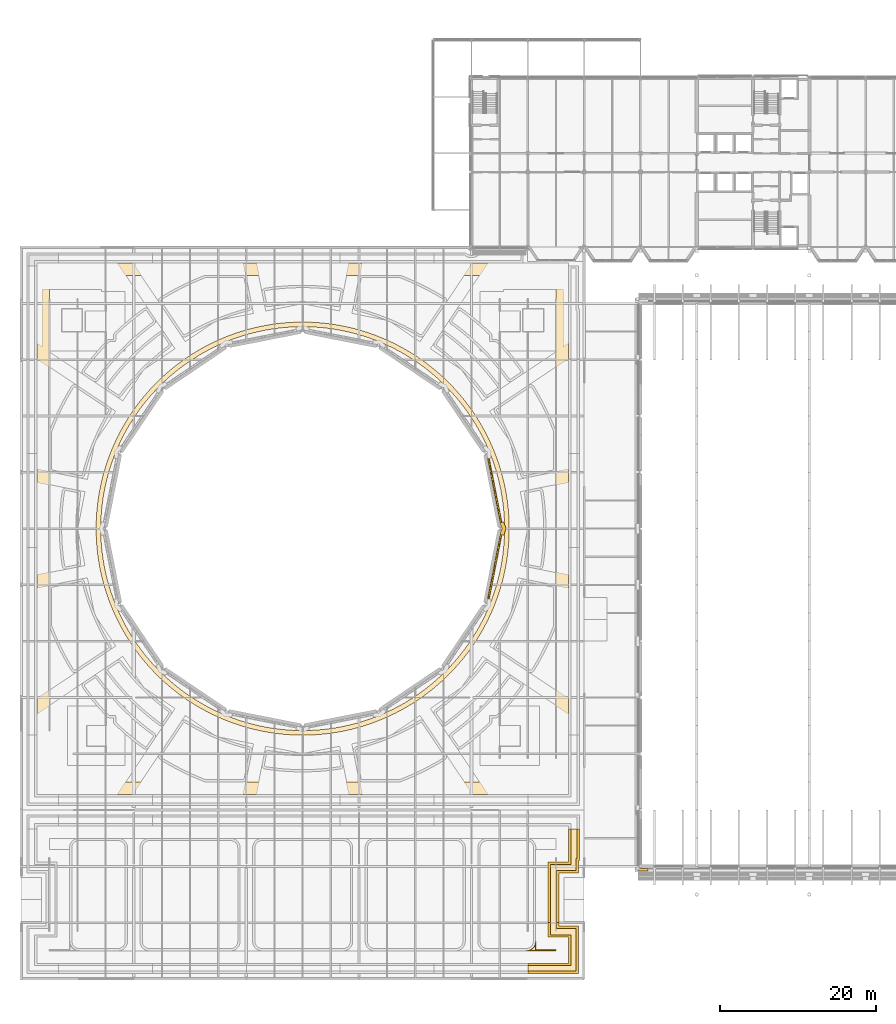
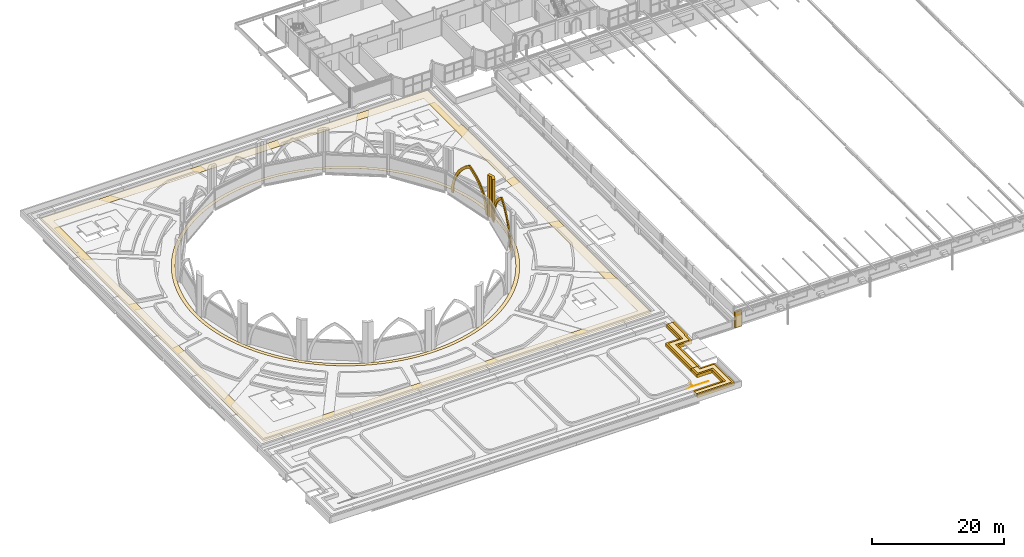
# One storey, part 91 of 110: 13 coverings.
"""IFC4 building model written with IfcOpenShell, lengths in metres."""

from ifc_helpers import new_model, si_unit, direction, frame, origin, origin_2d, place, context, subcontext, project, spatial, polyline, rectangle, outline, extrude, material, layer, layer_set, type_object, element, save


model = new_model("IFC4")

# Units and contexts
model_context = context("Model", 3, precision=1e-05, world=origin(), true_north=direction((0.0, 1.0)))
body_context = subcontext(model_context, "Body", "Model", "MODEL_VIEW")
ifc_project = project(units=[si_unit("LENGTHUNIT", "METRE"), si_unit("AREAUNIT", "SQUARE_METRE"), si_unit("VOLUMEUNIT", "CUBIC_METRE"), si_unit("PLANEANGLEUNIT", "RADIAN"), si_unit("MASSUNIT", "GRAM", prefix="KILO")], contexts=[model_context])

# Site, building, storey
site_placement = place(None, origin())
site = spatial("IfcSite", under=ifc_project, at=site_placement, CompositionType="ELEMENT")
building_placement = place(site_placement, origin())
building = spatial("IfcBuilding", under=site, at=building_placement, Name="Kupolbacken Congress Centre", CompositionType="ELEMENT")
storey_placement = place(building_placement, frame((0.0, 0.0, 18.0)))
storey = spatial("IfcBuildingStorey", under=building, at=storey_placement, Name="L05", CompositionType="ELEMENT", Elevation=18.0)

# Coverings
ifc_material_1 = material(Name="Limestone cladding", Category="masonry")
ifc_layer_1 = layer(ifc_material_1, 0.35009765625)
ifc_layer_set_1 = layer_set([ifc_layer_1], Name="Limestone cladding")
covering_type_1 = type_object("IfcCoveringType", Name="CV3 limestone pilaster strip 350", PredefinedType="CLADDING", material=ifc_layer_set_1)
covering_1_placement = place(storey_placement, frame((86.739990234375, 42.764892578125, 0.0), z_axis=(0.0, 0.0, 1.0), x_axis=(1.0, 0.0, 0.0)))
element("IfcCovering", 1, at=covering_1_placement, inside=storey, type_object=covering_type_1, Name="F/H/S/pil/00/0", PredefinedType="CLADDING", context=body_context, shape_type="SweptSolid", body=[
    extrude(rectangle(XDim=1.199951171875, YDim=0.35009765625, at=origin_2d()), origin(), (0.0, 0.0, 1.0), 2.93505859375),
])
ifc_material_2 = material(Name="Limestone cladding", Category="masonry")
ifc_layer_2 = layer(ifc_material_2, 0.60009765625)
ifc_layer_set_2 = layer_set([ifc_layer_2], Name="Limestone cladding")
covering_type_2 = type_object("IfcCoveringType", Name="CV5 limestone arcade pier 600", PredefinedType="CLADDING", material=ifc_layer_set_2)
covering_2_placement = place(storey_placement, origin())
element("IfcCovering", 2, at=covering_2_placement, inside=storey, type_object=covering_type_2, Name="Bed kerb, roof garden", PredefinedType="CLADDING", context=body_context, shape_type="SweptSolid", body=[
    extrude(outline(polyline([(75.99755859375, 35.547607421875), (78.469970703125, 35.547607421875), (78.469970703125, 29.530029296875), (72.0, 29.530029296875), (72.0, 29.830078125), (78.169921875, 29.830078125), (78.169921875, 35.24755859375), (75.697509765625, 35.24755859375), (75.697509765625, 36.0), (75.99755859375, 36.0), (75.99755859375, 35.547607421875)])), origin(), (0.0, 0.0, 1.0), 0.60009765625),
])
covering_3_placement = place(storey_placement, origin())
element("IfcCovering", 3, at=covering_3_placement, inside=storey, type_object=covering_type_2, Name="Bed kerb, roof garden", PredefinedType="CLADDING", context=body_context, shape_type="SweptSolid", body=[
    extrude(outline(polyline([(78.597412109375, 43.929931640625), (78.469970703125, 43.929931640625), (78.469970703125, 42.469970703125), (78.469970703125, 42.469970703125), (78.469970703125, 42.3525390625), (75.99755859375, 42.3525390625), (75.99755859375, 36.0), (75.697509765625, 36.0), (75.697509765625, 42.652587890625), (78.169921875, 42.652587890625), (78.169921875, 44.22998046875), (78.297607421875, 44.22998046875), (78.297607421875, 48.0), (78.597412109375, 48.0), (78.597412109375, 43.929931640625)])), origin(), (0.0, 0.0, 1.0), 0.60009765625),
])
covering_4_placement = place(storey_placement, origin())
element("IfcCovering", 4, at=covering_4_placement, inside=storey, type_object=covering_type_2, Name="Bed kerb, roof garden", PredefinedType="CLADDING", context=body_context, shape_type="SweptSolid", body=[
    extrude(outline(polyline([(77.49755859375, 30.50244140625), (72.0, 30.50244140625), (72.0, 30.802490234375), (77.197509765625, 30.802490234375), (77.197509765625, 34.1474609375), (74.597412109375, 34.1474609375), (74.597412109375, 36.0), (74.8974609375, 36.0), (74.8974609375, 34.447509765625), (77.49755859375, 34.447509765625), (77.49755859375, 30.50244140625)])), origin(), (0.0, 0.0, 1.0), 0.60009765625),
])
covering_5_placement = place(storey_placement, origin())
element("IfcCovering", 5, at=covering_5_placement, inside=storey, type_object=covering_type_2, Name="Bed kerb, roof garden", PredefinedType="CLADDING", context=body_context, shape_type="SweptSolid", body=[
    extrude(outline(polyline([(77.49755859375, 43.452392578125), (74.8974609375, 43.452392578125), (74.8974609375, 36.0), (74.597412109375, 36.0), (74.597412109375, 43.75244140625), (77.197509765625, 43.75244140625), (77.197509765625, 48.0), (77.49755859375, 48.0), (77.49755859375, 43.452392578125)])), origin(), (0.0, 0.0, 1.0), 0.60009765625),
])
ifc_material_3 = material(Name="Limestone cladding", Category="masonry")
ifc_layer_3 = layer(ifc_material_3, 0.5)
ifc_layer_set_3 = layer_set([ifc_layer_3], Name="Limestone cladding")
covering_type_3 = type_object("IfcCoveringType", Name="CV8 limestone drum pier 500", PredefinedType="CLADDING", material=ifc_layer_set_3)
covering_6_placement = place(storey_placement, origin())
element("IfcCovering", 6, at=covering_6_placement, inside=storey, type_object=covering_type_3, Name="F/drum/pier-lo/07/0", PredefinedType="CLADDING", context=body_context, shape_type="SweptSolid", body=[
    extrude(outline(polyline([(68.91259765625, 85.53466796875), (69.2216796875, 86.39990234375), (68.91259765625, 87.265380859375), (68.470947265625, 87.178466796875), (68.567626953125, 86.687744140625), (68.751708984375, 86.39990234375), (68.567626953125, 86.1123046875), (68.470947265625, 85.62158203125), (68.91259765625, 85.53466796875)])), origin(), (0.0, 0.0, 1.0), 7.60009765625),
])
ifc_material_4 = material(Name="Limestone cladding", Category="masonry")
ifc_layer_4 = layer(ifc_material_4, 0.199951171875)
ifc_layer_set_4 = layer_set([ifc_layer_4], Name="Limestone cladding")
covering_type_4 = type_object("IfcCoveringType", Name="CV9 limestone drum arch frame 200", PredefinedType="CLADDING", material=ifc_layer_set_4)
covering_7_placement = place(storey_placement, frame((66.86083984375, 77.443359375, 0.0), z_axis=(0.981162875427, -0.193182328084, 0.0), x_axis=(0.193182328084, 0.981162875427, 0.0)))
element("IfcCovering", 7, at=covering_7_placement, inside=storey, type_object=covering_type_4, Name="F/drum/arch/wall/07", PredefinedType="CLADDING", context=body_context, shape_type="SweptSolid", body=[
    extrude(outline(polyline([(0.0, 0.0), (0.0234375, 0.615966796875), (0.09326171875, 1.228515625), (0.20947265625, 1.833984375), (0.37109375, 2.4287109375), (0.577392578125, 3.009765625), (0.8271484375, 3.5732421875), (1.118896484375, 4.116455078125), (1.450927734375, 4.6357421875), (1.8212890625, 5.128662109375), (2.227783203125, 5.591796875), (2.66845703125, 6.023193359375), (3.140380859375, 6.419677734375), (3.64111328125, 6.779296875), (4.16748046875, 7.10009765625), (4.694091796875, 6.779296875), (5.19482421875, 6.419677734375), (5.666748046875, 6.023193359375), (6.107421875, 5.591796875), (6.513916015625, 5.128662109375), (6.884521484375, 4.6357421875), (7.21630859375, 4.116455078125), (7.508056640625, 3.5732421875), (7.7578125, 3.009765625), (7.964111328125, 2.4287109375), (8.125732421875, 1.833984375), (8.241943359375, 1.228515625), (8.31201171875, 0.615966796875), (8.335205078125, 0.0), (7.88525390625, 0.0), (7.864501953125, 0.56396484375), (7.802490234375, 1.124755859375), (7.699462890625, 1.679443359375), (7.555908203125, 2.22509765625), (7.372802734375, 2.7587890625), (7.15087890625, 3.277587890625), (6.8916015625, 3.77880859375), (6.59619140625, 4.259521484375), (6.266357421875, 4.71728515625), (5.90380859375, 5.1494140625), (5.51025390625, 5.553955078125), (5.08837890625, 5.928466796875), (4.639892578125, 6.27099609375), (4.16748046875, 6.579833984375), (3.6953125, 6.27099609375), (3.2470703125, 5.928466796875), (2.824951171875, 5.553955078125), (2.431640625, 5.1494140625), (2.069091796875, 4.71728515625), (1.739013671875, 4.259521484375), (1.443603515625, 3.77880859375), (1.184326171875, 3.277587890625), (0.96240234375, 2.7587890625), (0.779296875, 2.22509765625), (0.6357421875, 1.679443359375), (0.53271484375, 1.124755859375), (0.470703125, 0.56396484375), (0.449951171875, 0.0), (0.0, 0.0)])), origin(), (0.0, 0.0, 1.0), 0.199951171875),
])
covering_8_placement = place(storey_placement, frame((68.470947265625, 87.178466796875, 0.0), z_axis=(0.981162875427, 0.193182328084, 0.0), x_axis=(-0.193182328084, 0.981162875427, 0.0)))
element("IfcCovering", 8, at=covering_8_placement, inside=storey, type_object=covering_type_4, Name="F/drum/arch/wall/08", PredefinedType="CLADDING", context=body_context, shape_type="SweptSolid", body=[
    extrude(outline(polyline([(0.0, 0.0), (0.0234375, 0.615966796875), (0.09326171875, 1.228515625), (0.20947265625, 1.833984375), (0.37109375, 2.4287109375), (0.577392578125, 3.009765625), (0.8271484375, 3.5732421875), (1.118896484375, 4.116455078125), (1.450927734375, 4.6357421875), (1.8212890625, 5.128662109375), (2.227783203125, 5.591796875), (2.66845703125, 6.023193359375), (3.140380859375, 6.419677734375), (3.64111328125, 6.779296875), (4.16748046875, 7.10009765625), (4.694091796875, 6.779296875), (5.19482421875, 6.419677734375), (5.666748046875, 6.023193359375), (6.107421875, 5.591796875), (6.513916015625, 5.128662109375), (6.884521484375, 4.6357421875), (7.21630859375, 4.116455078125), (7.508056640625, 3.5732421875), (7.7578125, 3.009765625), (7.964111328125, 2.4287109375), (8.125732421875, 1.833984375), (8.241943359375, 1.228515625), (8.31201171875, 0.615966796875), (8.335205078125, 0.0), (7.88525390625, 0.0), (7.864501953125, 0.56396484375), (7.802490234375, 1.124755859375), (7.699462890625, 1.679443359375), (7.555908203125, 2.22509765625), (7.372802734375, 2.7587890625), (7.15087890625, 3.277587890625), (6.8916015625, 3.77880859375), (6.59619140625, 4.259521484375), (6.266357421875, 4.71728515625), (5.90380859375, 5.1494140625), (5.51025390625, 5.553955078125), (5.08837890625, 5.928466796875), (4.639892578125, 6.27099609375), (4.16748046875, 6.579833984375), (3.6953125, 6.27099609375), (3.2470703125, 5.928466796875), (2.824951171875, 5.553955078125), (2.431640625, 5.1494140625), (2.069091796875, 4.71728515625), (1.739013671875, 4.259521484375), (1.443603515625, 3.77880859375), (1.184326171875, 3.277587890625), (0.96240234375, 2.7587890625), (0.779296875, 2.22509765625), (0.6357421875, 1.679443359375), (0.53271484375, 1.124755859375), (0.470703125, 0.56396484375), (0.449951171875, 0.0), (0.0, 0.0)])), origin(), (0.0, 0.0, 1.0), 0.199951171875),
])
ifc_material_5 = material(Name="Limestone cladding", Category="masonry")
ifc_layer_5 = layer(ifc_material_5, 0.02001953125)
ifc_layer_set_5 = layer_set([ifc_layer_5], Name="Limestone cladding")
covering_type_5 = type_object("IfcCoveringType", Name="GF1 limestone paving 20", PredefinedType="FLOORING", material=ifc_layer_set_5)
covering_9_placement = place(storey_placement, origin())
element("IfcCovering", 9, at=covering_9_placement, inside=storey, type_object=covering_type_5, Name="Roof walk, roof garden", PredefinedType="FLOORING", context=body_context, shape_type="SweptSolid", body=[
    extrude(outline(polyline([(72.99169921875, 33.48486328125), (72.99755859375, 33.6025390625), (72.99755859375, 32.547607421875), (75.597412109375, 32.547607421875), (75.597412109375, 32.402587890625), (71.797607421875, 32.402587890625), (71.9150390625, 32.408203125), (72.031494140625, 32.425537109375), (72.145751953125, 32.4541015625), (72.256591796875, 32.493896484375), (72.36328125, 32.544189453125), (72.464111328125, 32.604736328125), (72.558837890625, 32.6748046875), (72.64599609375, 32.75390625), (72.72509765625, 32.84130859375), (72.79541015625, 32.935791015625), (72.855712890625, 33.036865234375), (72.90625, 33.143310546875), (72.94580078125, 33.254150390625), (72.974365234375, 33.368408203125), (72.99169921875, 33.48486328125)])), origin(), (0.0, 0.0, 1.0), 0.02001953125),
])
ifc_material_6 = material(Name="Brick", Category="masonry")
ifc_layer_6 = layer(ifc_material_6, 0.02001953125)
ifc_layer_set_6 = layer_set([ifc_layer_6], Name="Brick")
covering_type_6 = type_object("IfcCoveringType", Name="GF2 brick paving 20", PredefinedType="FLOORING", material=ifc_layer_set_6)
covering_10_placement = place(storey_placement, origin())
element("IfcCovering", 10, at=covering_10_placement, inside=storey, type_object=covering_type_6, Name="Roof walk border, plenary wing roof", PredefinedType="FLOORING", context=body_context, shape_type="SweptSolid", body=[
    extrude(outline(polyline([(69.49267578125, 83.810302734375), (69.421142578125, 83.166015625), (69.333740234375, 82.5234375), (69.230712890625, 81.88330078125), (69.112060546875, 81.245849609375), (68.977783203125, 80.611328125), (68.827880859375, 79.98046875), (68.662841796875, 79.353515625), (68.482177734375, 78.730712890625), (68.286376953125, 78.112548828125), (68.075439453125, 77.49951171875), (67.849609375, 76.8916015625), (67.608642578125, 76.28955078125), (67.353271484375, 75.693603515625), (67.083251953125, 75.10400390625), (66.798828125, 74.521484375), (66.500244140625, 73.94580078125), (66.1875, 73.377685546875), (65.861083984375, 72.8173828125), (65.52099609375, 72.265380859375), (65.167236328125, 71.721923828125), (64.80029296875, 71.187255859375), (64.420654296875, 70.66162109375), (64.028076171875, 70.145751953125), (63.622802734375, 69.639404296875), (63.205322265625, 69.143310546875), (62.77587890625, 68.657470703125), (62.33447265625, 68.1826171875), (61.881591796875, 67.718505859375), (61.41748046875, 67.265380859375), (60.9423828125, 66.82421875), (60.456787109375, 66.394775390625), (59.96044921875, 65.977294921875), (59.454345703125, 65.572021484375), (58.938232421875, 65.179443359375), (58.41259765625, 64.799560546875), (57.878173828125, 64.4326171875), (57.33447265625, 64.0791015625), (56.782470703125, 63.739013671875), (56.222412109375, 63.41259765625), (55.654296875, 63.099853515625), (55.07861328125, 62.80126953125), (54.495849609375, 62.516845703125), (53.906494140625, 62.246826171875), (53.310302734375, 61.9912109375), (52.70849609375, 61.75048828125), (52.1005859375, 61.524658203125), (51.4873046875, 61.313720703125), (50.869384765625, 61.117919921875), (50.24658203125, 60.937255859375), (49.619384765625, 60.77197265625), (48.988525390625, 60.6220703125), (48.354248046875, 60.48779296875), (47.716796875, 60.369140625), (47.07666015625, 60.26611328125), (46.43408203125, 60.178955078125), (45.78955078125, 60.107421875), (45.1435546875, 60.0517578125), (44.496337890625, 60.011962890625), (43.848388671875, 59.98828125), (43.199951171875, 59.980224609375), (42.551513671875, 59.98828125), (41.903564453125, 60.011962890625), (41.25634765625, 60.0517578125), (40.6103515625, 60.107421875), (39.9658203125, 60.178955078125), (39.323486328125, 60.26611328125), (38.68310546875, 60.369140625), (38.0458984375, 60.48779296875), (37.411376953125, 60.6220703125), (36.780517578125, 60.77197265625), (36.153564453125, 60.937255859375), (35.53076171875, 61.117919921875), (34.91259765625, 61.313720703125), (34.29931640625, 61.524658203125), (33.691650390625, 61.75048828125), (33.089599609375, 61.9912109375), (32.49365234375, 62.246826171875), (31.904052734375, 62.516845703125), (31.3212890625, 62.80126953125), (30.745849609375, 63.099853515625), (30.177734375, 63.41259765625), (29.617431640625, 63.739013671875), (29.0654296875, 64.0791015625), (28.52197265625, 64.4326171875), (27.9873046875, 64.799560546875), (27.461669921875, 65.179443359375), (26.94580078125, 65.572021484375), (26.439453125, 65.977294921875), (25.943359375, 66.394775390625), (25.45751953125, 66.82421875), (24.982421875, 67.265380859375), (24.518310546875, 67.718505859375), (24.0654296875, 68.1826171875), (23.624267578125, 68.657470703125), (23.194580078125, 69.143310546875), (22.777099609375, 69.639404296875), (22.3720703125, 70.145751953125), (21.9794921875, 70.66162109375), (21.599609375, 71.187255859375), (21.232666015625, 71.721923828125), (20.879150390625, 72.265380859375), (20.5390625, 72.8173828125), (20.21240234375, 73.377685546875), (19.89990234375, 73.94580078125), (19.601318359375, 74.521484375), (19.31689453125, 75.10400390625), (19.046875, 75.693603515625), (18.791259765625, 76.28955078125), (18.550537109375, 76.8916015625), (18.32470703125, 77.49951171875), (18.11376953125, 78.112548828125), (17.917724609375, 78.730712890625), (17.7373046875, 79.353515625), (17.572021484375, 79.98046875), (17.422119140625, 80.611328125), (17.287841796875, 81.245849609375), (17.169189453125, 81.88330078125), (17.066162109375, 82.5234375), (16.97900390625, 83.166015625), (16.907470703125, 83.810302734375), (16.851806640625, 84.456298828125), (16.81201171875, 85.103515625), (16.7880859375, 85.751708984375), (16.7802734375, 86.39990234375), (16.7880859375, 87.04833984375), (16.81201171875, 87.6962890625), (16.851806640625, 88.343505859375), (16.907470703125, 88.989501953125), (16.97900390625, 89.634033203125), (17.066162109375, 90.276611328125), (17.169189453125, 90.916748046875), (17.287841796875, 91.55419921875), (17.422119140625, 92.188720703125), (17.572021484375, 92.819580078125), (17.7373046875, 93.446533203125), (17.917724609375, 94.0693359375), (18.11376953125, 94.6875), (18.32470703125, 95.300537109375), (18.550537109375, 95.908447265625), (18.791259765625, 96.510498046875), (19.046875, 97.1064453125), (19.31689453125, 97.69580078125), (19.601318359375, 98.278564453125), (19.89990234375, 98.854248046875), (20.21240234375, 99.42236328125), (20.5390625, 99.982421875), (20.879150390625, 100.534423828125), (21.232666015625, 101.078125), (21.599609375, 101.61279296875), (21.9794921875, 102.13818359375), (22.3720703125, 102.654296875), (22.777099609375, 103.160400390625), (23.194580078125, 103.65673828125), (23.624267578125, 104.142578125), (24.0654296875, 104.617431640625), (24.518310546875, 105.08154296875), (24.982421875, 105.534423828125), (25.45751953125, 105.975830078125), (25.943359375, 106.4052734375), (26.439453125, 106.82275390625), (26.94580078125, 107.22802734375), (27.461669921875, 107.62060546875), (27.9873046875, 108.00048828125), (28.52197265625, 108.3671875), (29.0654296875, 108.720947265625), (29.617431640625, 109.06103515625), (30.177734375, 109.387451171875), (30.745849609375, 109.7001953125), (31.3212890625, 109.998779296875), (31.904052734375, 110.283203125), (32.49365234375, 110.55322265625), (33.089599609375, 110.80859375), (33.691650390625, 111.049560546875), (34.29931640625, 111.275390625), (34.91259765625, 111.486328125), (35.53076171875, 111.68212890625), (36.153564453125, 111.86279296875), (36.780517578125, 112.028076171875), (37.411376953125, 112.177978515625), (38.0458984375, 112.31201171875), (38.68310546875, 112.430908203125), (39.323486328125, 112.53369140625), (39.9658203125, 112.62109375), (40.6103515625, 112.692626953125), (41.25634765625, 112.748291015625), (41.903564453125, 112.7880859375), (42.551513671875, 112.811767578125), (43.199951171875, 112.81982421875), (43.848388671875, 112.811767578125), (44.496337890625, 112.7880859375), (45.1435546875, 112.748291015625), (45.78955078125, 112.692626953125), (46.43408203125, 112.62109375), (47.07666015625, 112.53369140625), (47.716796875, 112.430908203125), (48.354248046875, 112.31201171875), (48.988525390625, 112.177978515625), (49.619384765625, 112.028076171875), (50.24658203125, 111.86279296875), (50.869384765625, 111.68212890625), (51.4873046875, 111.486328125), (52.1005859375, 111.275390625), (52.70849609375, 111.049560546875), (53.310302734375, 110.80859375), (53.906494140625, 110.55322265625), (54.495849609375, 110.283203125), (55.07861328125, 109.998779296875), (55.654296875, 109.7001953125), (56.222412109375, 109.387451171875), (56.782470703125, 109.06103515625), (57.33447265625, 108.720947265625), (57.878173828125, 108.3671875), (58.41259765625, 108.00048828125), (58.938232421875, 107.62060546875), (59.454345703125, 107.22802734375), (59.96044921875, 106.82275390625), (60.456787109375, 106.4052734375), (60.9423828125, 105.975830078125), (61.41748046875, 105.534423828125), (61.881591796875, 105.08154296875), (62.33447265625, 104.617431640625), (62.77587890625, 104.142578125), (63.205322265625, 103.65673828125), (63.622802734375, 103.160400390625), (64.028076171875, 102.654296875), (64.420654296875, 102.13818359375), (64.80029296875, 101.61279296875), (65.167236328125, 101.078125), (65.52099609375, 100.534423828125), (65.861083984375, 99.982421875), (66.1875, 99.42236328125), (66.500244140625, 98.854248046875), (66.798828125, 98.278564453125), (67.083251953125, 97.69580078125), (67.353271484375, 97.1064453125), (67.608642578125, 96.510498046875), (67.849609375, 95.908447265625), (68.075439453125, 95.300537109375), (68.286376953125, 94.6875), (68.482177734375, 94.0693359375), (68.662841796875, 93.446533203125), (68.827880859375, 92.819580078125), (68.977783203125, 92.188720703125), (69.112060546875, 91.55419921875), (69.230712890625, 90.916748046875), (69.333740234375, 90.276611328125), (69.421142578125, 89.634033203125), (69.49267578125, 88.989501953125), (69.548095703125, 88.343505859375), (69.587890625, 87.6962890625), (69.61181640625, 87.04833984375), (69.619873046875, 86.39990234375), (69.61181640625, 85.751708984375), (69.587890625, 85.103515625), (69.548095703125, 84.456298828125), (69.49267578125, 83.810302734375)]), holes=[polyline([(68.8955078125, 88.930908203125), (68.82568359375, 89.560546875), (68.740234375, 90.188720703125), (68.6396484375, 90.814208984375), (68.523681640625, 91.437255859375), (68.392333984375, 92.05712890625), (68.24609375, 92.673583984375), (68.08447265625, 93.28662109375), (67.907958984375, 93.89501953125), (67.716552734375, 94.499267578125), (67.510498046875, 95.098388671875), (67.289794921875, 95.6923828125), (67.054443359375, 96.28076171875), (66.8046875, 96.86328125), (66.540771484375, 97.439453125), (66.262939453125, 98.0087890625), (65.970947265625, 98.5712890625), (65.66552734375, 99.12646484375), (65.346435546875, 99.674072265625), (65.013916015625, 100.21337890625), (64.66845703125, 100.74462890625), (64.309814453125, 101.267333984375), (63.938720703125, 101.78076171875), (63.554931640625, 102.28515625), (63.158935546875, 102.77978515625), (62.7509765625, 103.264892578125), (62.331298828125, 103.739501953125), (61.89990234375, 104.203857421875), (61.45751953125, 104.657470703125), (61.00390625, 105.099853515625), (60.53955078125, 105.53125), (60.064697265625, 105.950927734375), (59.579833984375, 106.35888671875), (59.085205078125, 106.7548828125), (58.580810546875, 107.138671875), (58.0673828125, 107.510009765625), (57.544677734375, 107.868408203125), (57.013427734375, 108.2138671875), (56.47412109375, 108.54638671875), (55.926513671875, 108.865478515625), (55.371337890625, 109.1708984375), (54.808837890625, 109.462890625), (54.239501953125, 109.74072265625), (53.6630859375, 110.004638671875), (53.080810546875, 110.25439453125), (52.492431640625, 110.48974609375), (51.8984375, 110.71044921875), (51.29931640625, 110.91650390625), (50.695068359375, 111.10791015625), (50.08642578125, 111.284423828125), (49.4736328125, 111.446044921875), (48.857177734375, 111.59228515625), (48.2373046875, 111.7236328125), (47.6142578125, 111.839599609375), (46.988525390625, 111.940185546875), (46.360595703125, 112.025634765625), (45.730712890625, 112.095458984375), (45.099365234375, 112.14990234375), (44.466796875, 112.188720703125), (43.83349609375, 112.2119140625), (43.199951171875, 112.2197265625), (42.56640625, 112.2119140625), (41.93310546875, 112.188720703125), (41.300537109375, 112.14990234375), (40.669189453125, 112.095458984375), (40.039306640625, 112.025634765625), (39.411376953125, 111.940185546875), (38.785888671875, 111.839599609375), (38.162841796875, 111.7236328125), (37.54296875, 111.59228515625), (36.92626953125, 111.446044921875), (36.3134765625, 111.284423828125), (35.704833984375, 111.10791015625), (35.100830078125, 110.91650390625), (34.501708984375, 110.71044921875), (33.90771484375, 110.48974609375), (33.319091796875, 110.25439453125), (32.73681640625, 110.004638671875), (32.16064453125, 109.74072265625), (31.591064453125, 109.462890625), (31.028564453125, 109.1708984375), (30.473388671875, 108.865478515625), (29.926025390625, 108.54638671875), (29.386474609375, 108.2138671875), (28.855224609375, 107.868408203125), (28.332763671875, 107.510009765625), (27.819091796875, 107.138671875), (27.314697265625, 106.7548828125), (26.820068359375, 106.35888671875), (26.335205078125, 105.950927734375), (25.860595703125, 105.53125), (25.396240234375, 105.099853515625), (24.942626953125, 104.657470703125), (24.5, 104.203857421875), (24.06884765625, 103.739501953125), (23.64892578125, 103.264892578125), (23.240966796875, 102.77978515625), (22.84521484375, 102.28515625), (22.461181640625, 101.78076171875), (22.090087890625, 101.267333984375), (21.731689453125, 100.74462890625), (21.385986328125, 100.21337890625), (21.0537109375, 99.674072265625), (20.734619140625, 99.12646484375), (20.428955078125, 98.5712890625), (20.13720703125, 98.0087890625), (19.859130859375, 97.439453125), (19.59521484375, 96.86328125), (19.345703125, 96.28076171875), (19.1103515625, 95.6923828125), (18.889404296875, 95.098388671875), (18.683349609375, 94.499267578125), (18.491943359375, 93.89501953125), (18.3154296875, 93.28662109375), (18.154052734375, 92.673583984375), (18.007568359375, 92.05712890625), (17.876220703125, 91.437255859375), (17.76025390625, 90.814208984375), (17.65966796875, 90.188720703125), (17.574462890625, 89.560546875), (17.50439453125, 88.930908203125), (17.4501953125, 88.29931640625), (17.411376953125, 87.6669921875), (17.387939453125, 87.03369140625), (17.380126953125, 86.39990234375), (17.387939453125, 85.766357421875), (17.411376953125, 85.133056640625), (17.4501953125, 84.50048828125), (17.50439453125, 83.869140625), (17.574462890625, 83.239501953125), (17.65966796875, 82.611328125), (17.76025390625, 81.98583984375), (17.876220703125, 81.36279296875), (18.007568359375, 80.742919921875), (18.154052734375, 80.126220703125), (18.3154296875, 79.513427734375), (18.491943359375, 78.90478515625), (18.683349609375, 78.30078125), (18.889404296875, 77.70166015625), (19.1103515625, 77.107666015625), (19.345703125, 76.519287109375), (19.59521484375, 75.936767578125), (19.859130859375, 75.360595703125), (20.13720703125, 74.791015625), (20.428955078125, 74.228515625), (20.734619140625, 73.673583984375), (21.0537109375, 73.1259765625), (21.385986328125, 72.58642578125), (21.731689453125, 72.055419921875), (22.090087890625, 71.53271484375), (22.461181640625, 71.019287109375), (22.84521484375, 70.514892578125), (23.240966796875, 70.02001953125), (23.64892578125, 69.53515625), (24.06884765625, 69.060546875), (24.5, 68.59619140625), (24.942626953125, 68.142578125), (25.396240234375, 67.7001953125), (25.860595703125, 67.268798828125), (26.335205078125, 66.84912109375), (26.820068359375, 66.44091796875), (27.314697265625, 66.045166015625), (27.819091796875, 65.661376953125), (28.332763671875, 65.2900390625), (28.855224609375, 64.931640625), (29.386474609375, 64.586181640625), (29.926025390625, 64.253662109375), (30.473388671875, 63.9345703125), (31.028564453125, 63.62890625), (31.591064453125, 63.337158203125), (32.16064453125, 63.05908203125), (32.73681640625, 62.79541015625), (33.319091796875, 62.545654296875), (33.90771484375, 62.310302734375), (34.501708984375, 62.089599609375), (35.100830078125, 61.88330078125), (35.704833984375, 61.69189453125), (36.3134765625, 61.515380859375), (36.92626953125, 61.35400390625), (37.54296875, 61.20751953125), (38.162841796875, 61.076416015625), (38.785888671875, 60.960205078125), (39.411376953125, 60.859619140625), (40.039306640625, 60.7744140625), (40.669189453125, 60.70458984375), (41.300537109375, 60.650146484375), (41.93310546875, 60.611328125), (42.56640625, 60.587890625), (43.199951171875, 60.580078125), (43.83349609375, 60.587890625), (44.466796875, 60.611328125), (45.099365234375, 60.650146484375), (45.730712890625, 60.70458984375), (46.360595703125, 60.7744140625), (46.988525390625, 60.859619140625), (47.6142578125, 60.960205078125), (48.2373046875, 61.076416015625), (48.857177734375, 61.20751953125), (49.4736328125, 61.35400390625), (50.08642578125, 61.515380859375), (50.695068359375, 61.69189453125), (51.29931640625, 61.88330078125), (51.8984375, 62.089599609375), (52.492431640625, 62.310302734375), (53.080810546875, 62.545654296875), (53.6630859375, 62.79541015625), (54.239501953125, 63.05908203125), (54.808837890625, 63.337158203125), (55.371337890625, 63.62890625), (55.926513671875, 63.9345703125), (56.47412109375, 64.253662109375), (57.013427734375, 64.586181640625), (57.544677734375, 64.931640625), (58.0673828125, 65.2900390625), (58.580810546875, 65.661376953125), (59.085205078125, 66.045166015625), (59.579833984375, 66.44091796875), (60.064697265625, 66.84912109375), (60.53955078125, 67.268798828125), (61.00390625, 67.7001953125), (61.45751953125, 68.142578125), (61.89990234375, 68.59619140625), (62.331298828125, 69.060546875), (62.7509765625, 69.53515625), (63.158935546875, 70.02001953125), (63.554931640625, 70.514892578125), (63.938720703125, 71.019287109375), (64.309814453125, 71.53271484375), (64.66845703125, 72.055419921875), (65.013916015625, 72.58642578125), (65.346435546875, 73.1259765625), (65.66552734375, 73.673583984375), (65.970947265625, 74.228515625), (66.262939453125, 74.791015625), (66.540771484375, 75.360595703125), (66.8046875, 75.936767578125), (67.054443359375, 76.519287109375), (67.289794921875, 77.107666015625), (67.510498046875, 77.70166015625), (67.716552734375, 78.30078125), (67.907958984375, 78.90478515625), (68.08447265625, 79.513427734375), (68.24609375, 80.126220703125), (68.392333984375, 80.742919921875), (68.523681640625, 81.36279296875), (68.6396484375, 81.98583984375), (68.740234375, 82.611328125), (68.82568359375, 83.239501953125), (68.8955078125, 83.869140625), (68.94970703125, 84.50048828125), (68.98876953125, 85.133056640625), (69.011962890625, 85.766357421875), (69.019775390625, 86.39990234375), (69.011962890625, 87.03369140625), (68.98876953125, 87.6669921875), (68.94970703125, 88.29931640625), (68.8955078125, 88.930908203125)])]), origin(), (0.0, 0.0, 1.0), 0.02001953125),
])
covering_11_placement = place(storey_placement, origin())
element("IfcCovering", 11, at=covering_11_placement, inside=storey, type_object=covering_type_6, Name="Roof walk border, plenary wing roof", PredefinedType="FLOORING", context=body_context, shape_type="SweptSolid", body=[
    extrude(outline(polyline([(9.202392578125, 52.402587890625), (9.202392578125, 120.3974609375), (71.39990234375, 120.3974609375), (77.197509765625, 120.3974609375), (77.197509765625, 120.0), (77.197509765625, 52.402587890625), (9.202392578125, 52.402587890625)]), holes=[polyline([(10.802490234375, 98.788818359375), (10.802490234375, 94.069580078125), (10.802490234375, 78.73046875), (10.802490234375, 74.01123046875), (10.802490234375, 54.00244140625), (30.811279296875, 54.00244140625), (35.530517578125, 54.00244140625), (50.86962890625, 54.00244140625), (55.5888671875, 54.00244140625), (75.597412109375, 54.00244140625), (75.597412109375, 74.01123046875), (75.597412109375, 78.73046875), (75.597412109375, 94.069580078125), (75.597412109375, 98.788818359375), (75.597412109375, 118.797607421875), (55.5888671875, 118.797607421875), (50.86962890625, 118.797607421875), (35.530517578125, 118.797607421875), (30.811279296875, 118.797607421875), (10.802490234375, 118.797607421875), (10.802490234375, 98.788818359375)])]), origin(), (0.0, 0.0, 1.0), 0.02001953125),
])
ifc_material_7 = material(Name="Planting substrate", Category="soil")
ifc_layer_7 = layer(ifc_material_7, 0.60009765625)
ifc_layer_set_7 = layer_set([ifc_layer_7], Name="Planting substrate")
covering_type_7 = type_object("IfcCoveringType", Name="GR8 planting substrate 600", PredefinedType="FLOORING", material=ifc_layer_set_7)
covering_12_placement = place(storey_placement, origin())
element("IfcCovering", 12, at=covering_12_placement, inside=storey, type_object=covering_type_7, Name="Planting bed, roof garden", PredefinedType="FLOORING", context=body_context, shape_type="SweptSolid", body=[
    extrude(outline(polyline([(75.697509765625, 35.24755859375), (78.169921875, 35.24755859375), (78.169921875, 29.830078125), (72.0, 29.830078125), (72.0, 30.50244140625), (77.49755859375, 30.50244140625), (77.49755859375, 34.447509765625), (74.8974609375, 34.447509765625), (74.8974609375, 36.0), (75.697509765625, 36.0), (75.697509765625, 35.24755859375)])), origin(), (0.0, 0.0, 1.0), 0.60009765625),
])
covering_13_placement = place(storey_placement, origin())
element("IfcCovering", 13, at=covering_13_placement, inside=storey, type_object=covering_type_7, Name="Planting bed, roof garden", PredefinedType="FLOORING", context=body_context, shape_type="SweptSolid", body=[
    extrude(outline(polyline([(78.297607421875, 44.22998046875), (78.169921875, 44.22998046875), (78.169921875, 42.652587890625), (75.697509765625, 42.652587890625), (75.697509765625, 36.0), (74.8974609375, 36.0), (74.8974609375, 43.452392578125), (77.49755859375, 43.452392578125), (77.49755859375, 48.0), (78.297607421875, 48.0), (78.297607421875, 44.22998046875)])), origin(), (0.0, 0.0, 1.0), 0.60009765625),
])

save(model, "model.ifc")
